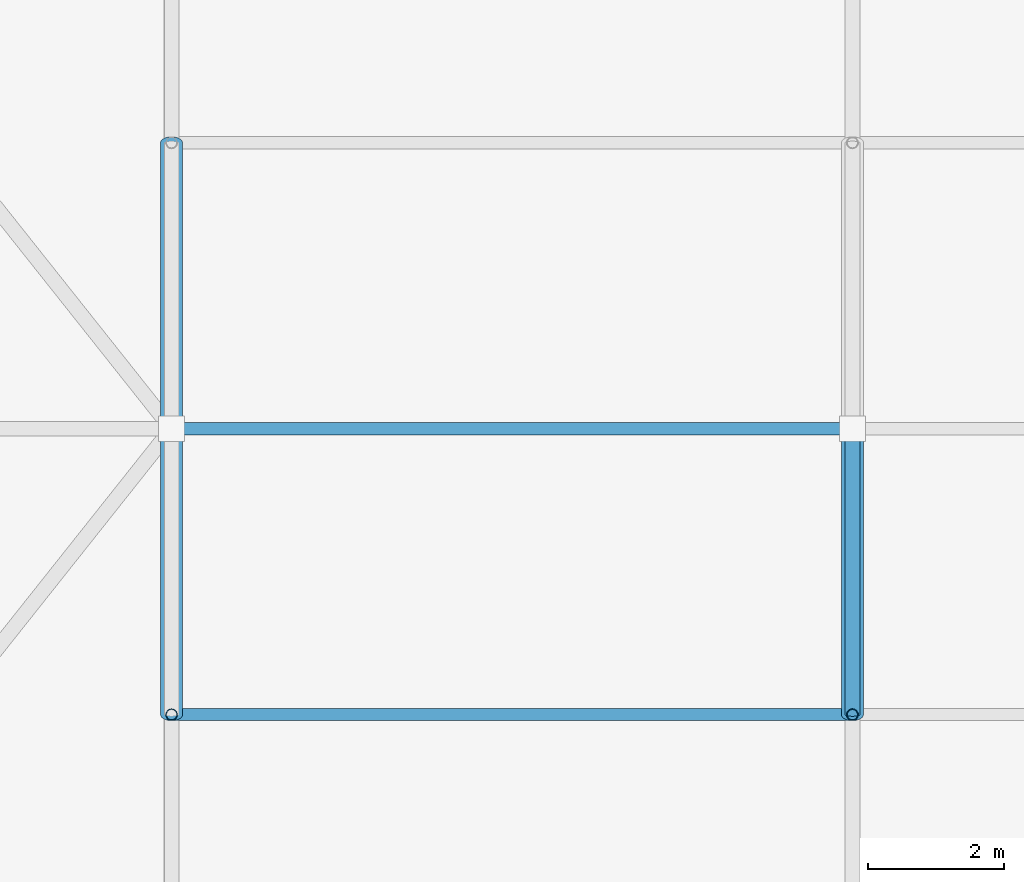
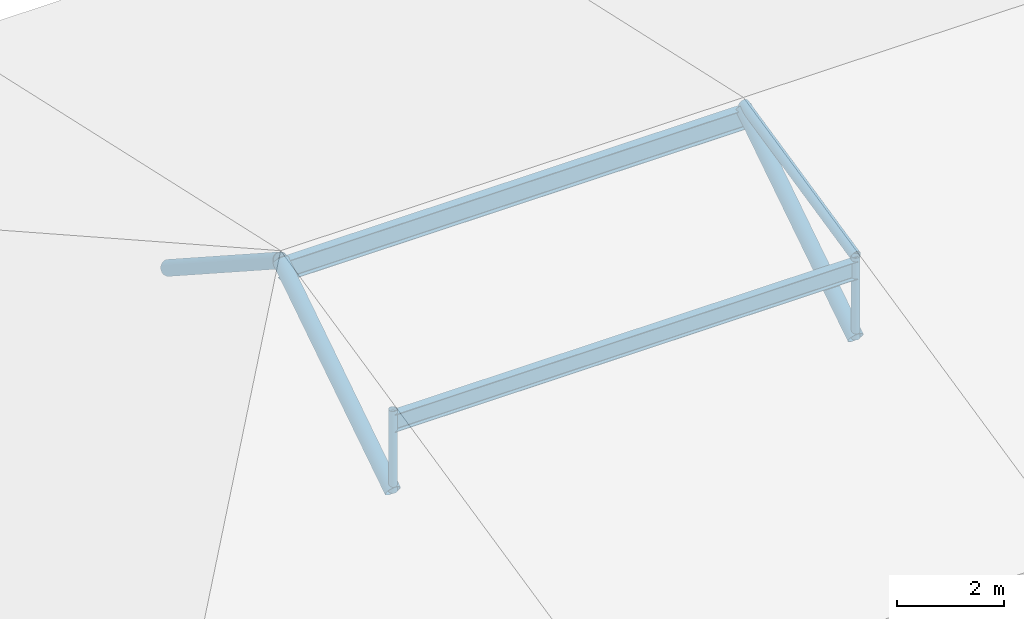
# One storey, part 55 of 93: 6 members, 2 beams.
"""IFC4 building model written with IfcOpenShell, lengths in metres."""

import ifcopenshell
import ifcopenshell.guid

model = None  # the IFC model being written
_history = None  # IfcOwnerHistory: only IFC2X3 demands one
_inside = {}  # id of a spatial element -> (the spatial element, [elements in it])
_under = {}  # id of a project, library or spatial element -> (it, [spatial elements below it])
_declared = {}  # id of a project -> (the project, [libraries it declares])
_typed = {}  # id of a type object -> (the type object, [elements of that type])
_made_of = {}  # id of a material, layer set ... -> (it, [elements and type objects made of it])


def new_model(schema):
    """Start an empty IFC model of exactly this schema.

    Asked for "IFC4X3", IfcOpenShell would pick the latest addendum, in which some entities
    have other attributes; the version numbers below select the first issue.
    IFC2X3 requires an IfcOwnerHistory on every rooted entity: one is made here for all.
    """
    global model, _history
    if schema == "IFC4X3":
        model = ifcopenshell.file(schema_version=(4, 3, 0, 0))
    else:
        model = ifcopenshell.file(schema=schema)
    _inside.clear()
    _under.clear()
    _declared.clear()
    _typed.clear()
    _made_of.clear()
    _history = None
    if model.schema == "IFC2X3":
        org = make("IfcOrganization", Name="unknown")
        user = make(
            "IfcPersonAndOrganization",
            ThePerson=make("IfcPerson", FamilyName="unknown"),
            TheOrganization=org,
        )
        app = make(
            "IfcApplication",
            ApplicationDeveloper=org,
            Version="unknown",
            ApplicationFullName="unknown",
            ApplicationIdentifier="unknown",
        )
        _history = make(
            "IfcOwnerHistory",
            OwningUser=user,
            OwningApplication=app,
            ChangeAction="ADDED",
            CreationDate=0,
        )
    return model


def make(cls, **values):
    """One entity of the class cls with the attributes given. An attribute that is None is left unset."""
    return model.create_entity(
        cls, **{name: value for name, value in values.items() if value is not None}
    )


def rooted(cls, **values):
    """An entity with a GlobalId (a new one), such as an element, a storey or a relation."""
    return make(cls, GlobalId=ifcopenshell.guid.new(), OwnerHistory=_history, **values)


def si_unit(unit_type, name, prefix=None):
    """IfcSIUnit, for example si_unit("LENGTHUNIT", "METRE", prefix="MILLI")."""
    return make("IfcSIUnit", UnitType=unit_type, Prefix=prefix, Name=name)


def derived_unit(unit_type, elements):
    """IfcDerivedUnit: a product of units, each with its exponent."""
    return make(
        "IfcDerivedUnit",
        Elements=[
            make("IfcDerivedUnitElement", Unit=unit, Exponent=power)
            for unit, power in elements
        ],
        UnitType=unit_type,
    )


def assignment(units):
    """IfcUnitAssignment: the units of a project."""
    return None if units is None else make("IfcUnitAssignment", Units=units)


def point(xyz):
    """IfcCartesianPoint."""
    return None if xyz is None else make("IfcCartesianPoint", Coordinates=xyz)


def direction(xyz):
    """IfcDirection."""
    return None if xyz is None else make("IfcDirection", DirectionRatios=xyz)


def frame(location, z_axis=None, x_axis=None):
    """IfcAxis2Placement3D, a coordinate frame: its origin and axes. An axis left out is left unset."""
    return make(
        "IfcAxis2Placement3D",
        Location=point(location),
        Axis=direction(z_axis),
        RefDirection=direction(x_axis),
    )


def frame_2d(location, x_axis=None):
    """IfcAxis2Placement2D, a coordinate frame in the plane: its origin and x axis."""
    return make(
        "IfcAxis2Placement2D", Location=point(location), RefDirection=direction(x_axis)
    )


def origin():
    """The frame at (0, 0, 0) with its axes left unset."""
    return frame((0.0, 0.0, 0.0))


def origin_2d_with_axis():
    """The frame at (0, 0) in the plane with the x axis (1, 0) written out."""
    return frame_2d((0.0, 0.0), x_axis=(1.0, 0.0))


def place(relative_to, where):
    """IfcLocalPlacement: puts the frame where relative to a parent placement (None: the world)."""
    return make(
        "IfcLocalPlacement", PlacementRelTo=relative_to, RelativePlacement=where
    )


def context(
    kind, dimensions, precision=None, world=None, true_north=None, identifier=None
):
    """IfcGeometricRepresentationContext, for example the 3D "Model" context."""
    return make(
        "IfcGeometricRepresentationContext",
        ContextIdentifier=identifier,
        ContextType=kind,
        CoordinateSpaceDimension=dimensions,
        Precision=precision,
        WorldCoordinateSystem=world,
        TrueNorth=true_north,
    )


def subcontext(parent, identifier, kind, view, scale=None):
    """IfcGeometricRepresentationSubContext, for example "Body" below "Model"."""
    return make(
        "IfcGeometricRepresentationSubContext",
        ContextIdentifier=identifier,
        ContextType=kind,
        ParentContext=parent,
        TargetScale=scale,
        TargetView=view,
    )


def project(units=None, contexts=None):
    """IfcProject with its units and contexts."""
    return rooted(
        "IfcProject",
        Name="project",
        RepresentationContexts=contexts,
        UnitsInContext=assignment(units),
    )


def spatial(cls, under=None, at=None, **own):
    """A site, building, storey or space (cls), placed at a placement, below another one or the project."""
    s = rooted(cls, ObjectPlacement=at, **own)
    if under is not None:
        _under.setdefault(under.id(), (under, []))[1].append(s)
    return s


def profile(cls, at=None, kind="AREA", **sizes):
    """A parametric profile (cls). Its sizes go by their IFC names, for example OverallWidth=200.0."""
    return make(cls, ProfileType=kind, Position=at, **sizes)


def hollow_circle(**sizes):
    """IfcCircleHollowProfileDef."""
    return profile("IfcCircleHollowProfileDef", **sizes)


def i_section(**sizes):
    """IfcIShapeProfileDef."""
    return profile("IfcIShapeProfileDef", **sizes)


def extrude(swept, where, along, depth):
    """IfcExtrudedAreaSolid: the profile swept, set in the frame where, extruded along a direction by depth."""
    return make(
        "IfcExtrudedAreaSolid",
        SweptArea=swept,
        Position=where,
        ExtrudedDirection=direction(along),
        Depth=depth,
    )


def shape(context_of_items, identifier, shape_type, items):
    """IfcShapeRepresentation: the items that make up one representation, for example the "Body"."""
    return make(
        "IfcShapeRepresentation",
        ContextOfItems=context_of_items,
        RepresentationIdentifier=identifier,
        RepresentationType=shape_type,
        Items=items,
    )


def material(Name=None, Category=None):
    """IfcMaterial."""
    return make("IfcMaterial", Name=Name, Category=Category)


def material_profile(
    of_material, cross_section, Name=None, Category=None, Priority=None
):
    """IfcMaterialProfile: a cross section and its material."""
    return make(
        "IfcMaterialProfile",
        Name=Name,
        Material=of_material,
        Profile=cross_section,
        Priority=Priority,
        Category=Category,
    )


def profile_set(profiles, Name=None, composite=None):
    """IfcMaterialProfileSet."""
    return make(
        "IfcMaterialProfileSet",
        Name=Name,
        MaterialProfiles=profiles,
        CompositeProfile=composite,
    )


def made_of(thing, what):
    """Note that an element or type object is made of a material, layer set ...; save() writes the relation."""
    if what is not None:
        _made_of.setdefault(what.id(), (what, []))[1].append(thing)
    return thing


def type_object(cls, material=None, **own):
    """A type object (cls), such as IfcWallType, which elements share."""
    return made_of(rooted(cls, **own), material)


def element(
    cls,
    number,
    at=None,
    inside=None,
    cuts=None,
    type_object=None,
    material=None,
    context=None,
    identifier="Body",
    shape_type=None,
    held_by="IfcProductDefinitionShape",
    body=None,
    shapes=None,
    **own,
):
    """One element of the class cls, such as IfcWall. Its Tag is "e" and its number.

    at: its placement. inside: the storey or other place that contains it. cuts: it is an
    opening in that element (IfcRelVoidsElement). A single representation is given by context,
    identifier, shape_type and body (its items); several are given by shapes. held_by: the class
    of the entity that holds the representations. save() writes the other relations.
    """
    e = rooted(cls, Tag="e%d" % number, ObjectPlacement=at, **own)
    if body is not None:
        shapes = [shape(context, identifier, shape_type, body)]
    if shapes is not None:
        e.Representation = make(held_by, Representations=shapes)
    if inside is not None:
        _inside.setdefault(inside.id(), (inside, []))[1].append(e)
    if cuts is not None:
        rooted(
            "IfcRelVoidsElement", RelatingBuildingElement=cuts, RelatedOpeningElement=e
        )
    if type_object is not None:
        _typed.setdefault(type_object.id(), (type_object, []))[1].append(e)
    return made_of(e, material)


def aggregate(whole, parts):
    """IfcRelAggregates: a whole, such as a stair, and the parts it consists of."""
    return rooted("IfcRelAggregates", RelatingObject=whole, RelatedObjects=parts)


def save(model, path):
    """Write the relations noted so far, then the file.

    IfcRelAggregates (storeys below a building ...), IfcRelContainedInSpatialStructure (elements
    in a storey), IfcRelDefinesByType, IfcRelAssociatesMaterial and IfcRelDeclares: one each for
    every whole, place, type object, material and project.
    """
    for whole, parts in _under.values():
        aggregate(whole, parts)
    for where, things in _inside.values():
        rooted(
            "IfcRelContainedInSpatialStructure",
            RelatedElements=things,
            RelatingStructure=where,
        )
    for kind, things in _typed.values():
        rooted("IfcRelDefinesByType", RelatedObjects=things, RelatingType=kind)
    for what, things in _made_of.values():
        rooted("IfcRelAssociatesMaterial", RelatedObjects=things, RelatingMaterial=what)
    for by, libraries in _declared.values():
        rooted("IfcRelDeclares", RelatingContext=by, RelatedDefinitions=libraries)
    model.write(path)


model = new_model("IFC4")

# Units and contexts
model_context = context("Model", 3, precision=1e-05, world=origin(), true_north=direction((0.0, 1.0)))
body_context = subcontext(model_context, "Body", "Model", "MODEL_VIEW")
ifc_project = project(units=[si_unit("LENGTHUNIT", "METRE"), si_unit("AREAUNIT", "SQUARE_METRE"), si_unit("VOLUMEUNIT", "CUBIC_METRE"), si_unit("PLANEANGLEUNIT", "RADIAN"), si_unit("MASSUNIT", "GRAM", prefix="KILO"), derived_unit("THERMALTRANSMITTANCEUNIT", [(si_unit("POWERUNIT", "WATT"), 1), (si_unit("LENGTHUNIT", "METRE"), -2), (si_unit("THERMODYNAMICTEMPERATUREUNIT", "KELVIN"), -1)])], contexts=[model_context])

# Site, building, storey
site_placement = place(None, origin())
site = spatial("IfcSite", under=ifc_project, at=site_placement, CompositionType="ELEMENT")
building_placement = place(site_placement, origin())
building = spatial("IfcBuilding", under=site, at=building_placement, Name="Cinnabar Yard Market Hall", CompositionType="ELEMENT")
storey_placement = place(building_placement, frame((0.0, 0.0, 23.800048828125)))
storey = spatial("IfcBuildingStorey", under=building, at=storey_placement, Name="ROOF", CompositionType="ELEMENT", Elevation=23.800048828125)

# Beams
ifc_material_1 = material(Name="Steel Grade 300 (300 MPa)", Category="steel")
ifc_material_profile_1 = material_profile(ifc_material_1, i_section(OverallWidth=0.18994140625, OverallDepth=0.453857421875, WebThickness=0.008544921875, FlangeThickness=0.0126953125, FilletRadius=0.011474609375, at=origin_2d_with_axis()), Name="460UB67.1")
ifc_profile_set_1 = profile_set([ifc_material_profile_1], Name="Steel Grade 300 (300 MPa)")
beam_type_1 = type_object("IfcBeamType", Name="BM-B05", PredefinedType="BEAM", material=ifc_profile_set_1)
beam_1_placement = place(storey_placement, frame((106.0, 125.39990234375, -2.70703125), z_axis=(1.0, 0.0, 0.0), x_axis=(0.0, 1.0, 0.0)))
element("IfcBeam", 1, at=beam_1_placement, inside=storey, type_object=beam_type_1, Name="Belvedere Ridge Girder W 01598", PredefinedType="BEAM", context=body_context, shape_type="SweptSolid", body=[
    extrude(i_section(OverallWidth=0.18994140625, OverallDepth=0.453857421875, WebThickness=0.008544921875, FlangeThickness=0.0126953125, FilletRadius=0.011474609375, at=origin_2d_with_axis()), origin(), (0.0, 0.0, 1.0), 10.0),
])
ifc_material_profile_2 = material_profile(ifc_material_1, i_section(OverallWidth=0.177978515625, OverallDepth=0.406494140625, WebThickness=0.0078125, FlangeThickness=0.0126953125, FilletRadius=0.011474609375, at=origin_2d_with_axis()), Name="410UB59.7")
ifc_profile_set_2 = profile_set([ifc_material_profile_2], Name="Steel Grade 300 (300 MPa)")
beam_type_2 = type_object("IfcBeamType", Name="BM-B06", PredefinedType="BEAM", material=ifc_profile_set_2)
beam_2_placement = place(storey_placement, frame((106.0, 121.199951171875, -3.61328125), z_axis=(1.0, 0.0, 0.0), x_axis=(0.0, 1.0, 0.0)))
element("IfcBeam", 2, at=beam_2_placement, inside=storey, type_object=beam_type_2, Name="Belvedere Purlin Girder 121 01600", PredefinedType="BEAM", context=body_context, shape_type="SweptSolid", body=[
    extrude(i_section(OverallWidth=0.177978515625, OverallDepth=0.406494140625, WebThickness=0.0078125, FlangeThickness=0.0126953125, FilletRadius=0.011474609375, at=origin_2d_with_axis()), origin(), (0.0, 0.0, 1.0), 10.0),
])

# Members
ifc_material_2 = material(Name="Cold-formed steel C350L0", Category="steel")
ifc_material_profile_3 = material_profile(ifc_material_2, hollow_circle(Radius=0.109619140625, WallThickness=0.00830078125, at=origin_2d_with_axis()), Name="219.1x8.2CHS")
ifc_profile_set_3 = profile_set([ifc_material_profile_3], Name="Cold-formed steel C350L0")
member_type_1 = type_object("IfcMemberType", Name="MB-BC02", PredefinedType="CHORD", material=ifc_profile_set_3)
member_1_placement = place(storey_placement, frame((116.0, 121.199951171875, -3.330078125), z_axis=(0.0, 0.976353697207, 0.216179226453), x_axis=(-1.0, 0.0, 0.0)))
element("IfcMember", 3, at=member_1_placement, inside=storey, type_object=member_type_1, Name="Belvedere Rafter 116-121", PredefinedType="CHORD", context=body_context, shape_type="SweptSolid", body=[
    extrude(hollow_circle(Radius=0.109619140625, WallThickness=0.00830078125, at=origin_2d_with_axis()), origin(), (0.0, 0.0, 1.0), 4.3017578125),
])
ifc_material_3 = material(Name="Spotted-gum glulam-clad steel Grade 350 (350 MPa)", Category="steel")
ifc_material_profile_4 = material_profile(ifc_material_3, hollow_circle(Radius=0.161865234375, WallThickness=0.009521484375, at=origin_2d_with_axis()), Name="323.9x9.5CHS")
ifc_profile_set_4 = profile_set([ifc_material_profile_4], Name="Spotted-gum glulam-clad steel Grade 350 (350 MPa)")
member_type_2 = type_object("IfcMemberType", Name="MB-ST01", PredefinedType="STRUT", material=ifc_profile_set_4)
member_2_placement = place(storey_placement, frame((106.0, 121.199951171875, -5.199951171875), z_axis=(0.0, 0.839355410214, 0.543583016055), x_axis=(-1.0, 0.0, 0.0)))
element("IfcMember", 4, at=member_2_placement, inside=storey, type_object=member_type_2, Name="Belvedere Ridge Strut S 106", PredefinedType="STRUT", context=body_context, shape_type="SweptSolid", body=[
    extrude(hollow_circle(Radius=0.161865234375, WallThickness=0.009521484375, at=origin_2d_with_axis()), origin(), (0.0, 0.0, 1.0), 5.003662109375),
])
member_3_placement = place(storey_placement, frame((106.0, 129.60009765625, -5.199951171875), z_axis=(0.0, -0.839369826281, 0.543560755324), x_axis=(1.0, 0.0, 0.0)))
element("IfcMember", 5, at=member_3_placement, inside=storey, type_object=member_type_2, Name="Belvedere Ridge Strut N 106", PredefinedType="STRUT", context=body_context, shape_type="SweptSolid", body=[
    extrude(hollow_circle(Radius=0.161865234375, WallThickness=0.009521484375, at=origin_2d_with_axis()), origin(), (0.0, 0.0, 1.0), 5.00390625),
])
member_4_placement = place(storey_placement, frame((116.0, 121.199951171875, -5.199951171875), z_axis=(0.0, 0.839355410214, 0.543583016055), x_axis=(-1.0, 0.0, 0.0)))
element("IfcMember", 6, at=member_4_placement, inside=storey, type_object=member_type_2, Name="Belvedere Ridge Strut S 116", PredefinedType="STRUT", context=body_context, shape_type="SweptSolid", body=[
    extrude(hollow_circle(Radius=0.161865234375, WallThickness=0.009521484375, at=origin_2d_with_axis()), origin(), (0.0, 0.0, 1.0), 5.003662109375),
])
ifc_material_profile_5 = material_profile(ifc_material_2, hollow_circle(Radius=0.084228515625, WallThickness=0.00634765625, at=origin_2d_with_axis()), Name="168.3x6.4CHS")
ifc_profile_set_5 = profile_set([ifc_material_profile_5], Name="Cold-formed steel C350L0")
member_type_3 = type_object("IfcMemberType", Name="MB-WB01", PredefinedType="STRUT", material=ifc_profile_set_5)
for number, where, z_axis, x_axis, name in (
    (7, (106.0, 121.199951171875, -5.199951171875), (0.0, 0.0, 1.0), (1.0, 0.0, 0.0), "Belvedere Roof Post 106-121"),
    (8, (116.0, 121.199951171875, -5.199951171875), (0.0, 0.0, 1.0), (1.0, 0.0, 0.0), "Belvedere Roof Post 116-121"),
):
    element("IfcMember", number, at=place(storey_placement, frame(where, z_axis=z_axis, x_axis=x_axis)), inside=storey, type_object=member_type_3, Name=name, PredefinedType="STRUT", context=body_context, shape_type="SweptSolid", body=[
        extrude(hollow_circle(Radius=0.084228515625, WallThickness=0.00634765625, at=origin_2d_with_axis()), origin(), (0.0, 0.0, 1.0), 1.869873046875),
    ])

save(model, "model.ifc")
